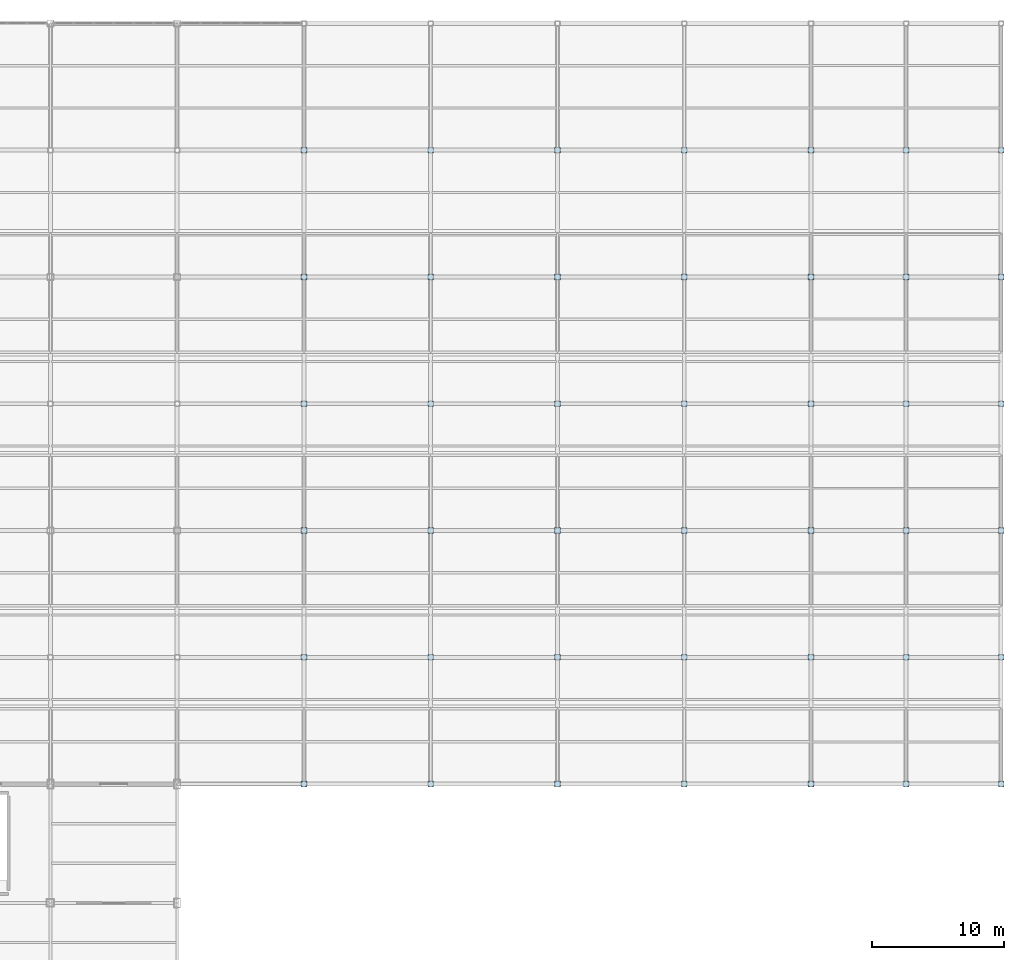
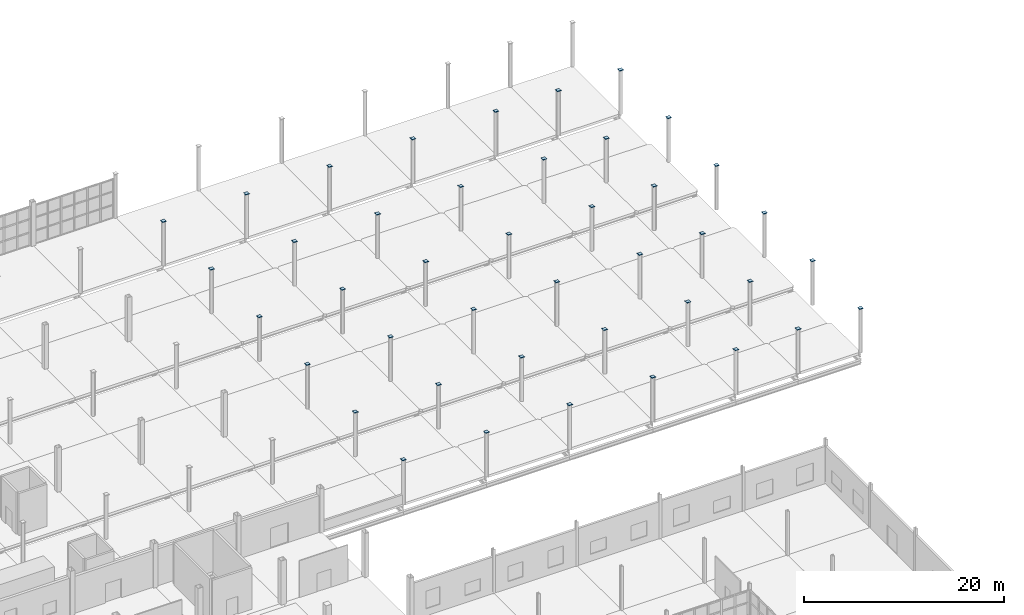
# One storey, part 62 of 85: 42 plates.
"""IFC4 building model written with IfcOpenShell, lengths in metres."""

import ifcopenshell
import ifcopenshell.guid

model = None  # the IFC model being written
_history = None  # IfcOwnerHistory: only IFC2X3 demands one
_inside = {}  # id of a spatial element -> (the spatial element, [elements in it])
_under = {}  # id of a project, library or spatial element -> (it, [spatial elements below it])
_declared = {}  # id of a project -> (the project, [libraries it declares])
_typed = {}  # id of a type object -> (the type object, [elements of that type])
_made_of = {}  # id of a material, layer set ... -> (it, [elements and type objects made of it])


def new_model(schema):
    """Start an empty IFC model of exactly this schema.

    Asked for "IFC4X3", IfcOpenShell would pick the latest addendum, in which some entities
    have other attributes; the version numbers below select the first issue.
    IFC2X3 requires an IfcOwnerHistory on every rooted entity: one is made here for all.
    """
    global model, _history
    if schema == "IFC4X3":
        model = ifcopenshell.file(schema_version=(4, 3, 0, 0))
    else:
        model = ifcopenshell.file(schema=schema)
    _inside.clear()
    _under.clear()
    _declared.clear()
    _typed.clear()
    _made_of.clear()
    _history = None
    if model.schema == "IFC2X3":
        org = make("IfcOrganization", Name="unknown")
        user = make(
            "IfcPersonAndOrganization",
            ThePerson=make("IfcPerson", FamilyName="unknown"),
            TheOrganization=org,
        )
        app = make(
            "IfcApplication",
            ApplicationDeveloper=org,
            Version="unknown",
            ApplicationFullName="unknown",
            ApplicationIdentifier="unknown",
        )
        _history = make(
            "IfcOwnerHistory",
            OwningUser=user,
            OwningApplication=app,
            ChangeAction="ADDED",
            CreationDate=0,
        )
    return model


def make(cls, **values):
    """One entity of the class cls with the attributes given. An attribute that is None is left unset."""
    return model.create_entity(
        cls, **{name: value for name, value in values.items() if value is not None}
    )


def rooted(cls, **values):
    """An entity with a GlobalId (a new one), such as an element, a storey or a relation."""
    return make(cls, GlobalId=ifcopenshell.guid.new(), OwnerHistory=_history, **values)


def si_unit(unit_type, name, prefix=None):
    """IfcSIUnit, for example si_unit("LENGTHUNIT", "METRE", prefix="MILLI")."""
    return make("IfcSIUnit", UnitType=unit_type, Prefix=prefix, Name=name)


def assignment(units):
    """IfcUnitAssignment: the units of a project."""
    return None if units is None else make("IfcUnitAssignment", Units=units)


def point(xyz):
    """IfcCartesianPoint."""
    return None if xyz is None else make("IfcCartesianPoint", Coordinates=xyz)


def direction(xyz):
    """IfcDirection."""
    return None if xyz is None else make("IfcDirection", DirectionRatios=xyz)


def frame(location, z_axis=None, x_axis=None):
    """IfcAxis2Placement3D, a coordinate frame: its origin and axes. An axis left out is left unset."""
    return make(
        "IfcAxis2Placement3D",
        Location=point(location),
        Axis=direction(z_axis),
        RefDirection=direction(x_axis),
    )


def frame_2d(location, x_axis=None):
    """IfcAxis2Placement2D, a coordinate frame in the plane: its origin and x axis."""
    return make(
        "IfcAxis2Placement2D", Location=point(location), RefDirection=direction(x_axis)
    )


def origin():
    """The frame at (0, 0, 0) with its axes left unset."""
    return frame((0.0, 0.0, 0.0))


def origin_2d():
    """The frame at (0, 0) in the plane with its x axis left unset."""
    return frame_2d((0.0, 0.0))


def place(relative_to, where):
    """IfcLocalPlacement: puts the frame where relative to a parent placement (None: the world)."""
    return make(
        "IfcLocalPlacement", PlacementRelTo=relative_to, RelativePlacement=where
    )


def context(
    kind, dimensions, precision=None, world=None, true_north=None, identifier=None
):
    """IfcGeometricRepresentationContext, for example the 3D "Model" context."""
    return make(
        "IfcGeometricRepresentationContext",
        ContextIdentifier=identifier,
        ContextType=kind,
        CoordinateSpaceDimension=dimensions,
        Precision=precision,
        WorldCoordinateSystem=world,
        TrueNorth=true_north,
    )


def subcontext(parent, identifier, kind, view, scale=None):
    """IfcGeometricRepresentationSubContext, for example "Body" below "Model"."""
    return make(
        "IfcGeometricRepresentationSubContext",
        ContextIdentifier=identifier,
        ContextType=kind,
        ParentContext=parent,
        TargetScale=scale,
        TargetView=view,
    )


def project(units=None, contexts=None):
    """IfcProject with its units and contexts."""
    return rooted(
        "IfcProject",
        Name="project",
        RepresentationContexts=contexts,
        UnitsInContext=assignment(units),
    )


def spatial(cls, under=None, at=None, **own):
    """A site, building, storey or space (cls), placed at a placement, below another one or the project."""
    s = rooted(cls, ObjectPlacement=at, **own)
    if under is not None:
        _under.setdefault(under.id(), (under, []))[1].append(s)
    return s


def profile(cls, at=None, kind="AREA", **sizes):
    """A parametric profile (cls). Its sizes go by their IFC names, for example OverallWidth=200.0."""
    return make(cls, ProfileType=kind, Position=at, **sizes)


def rectangle(**sizes):
    """IfcRectangleProfileDef."""
    return profile("IfcRectangleProfileDef", **sizes)


def extrude(swept, where, along, depth):
    """IfcExtrudedAreaSolid: the profile swept, set in the frame where, extruded along a direction by depth."""
    return make(
        "IfcExtrudedAreaSolid",
        SweptArea=swept,
        Position=where,
        ExtrudedDirection=direction(along),
        Depth=depth,
    )


def shape(context_of_items, identifier, shape_type, items):
    """IfcShapeRepresentation: the items that make up one representation, for example the "Body"."""
    return make(
        "IfcShapeRepresentation",
        ContextOfItems=context_of_items,
        RepresentationIdentifier=identifier,
        RepresentationType=shape_type,
        Items=items,
    )


def material(Name=None, Category=None):
    """IfcMaterial."""
    return make("IfcMaterial", Name=Name, Category=Category)


def layer(
    of_material, thickness, ventilated=None, Name=None, Category=None, Priority=None
):
    """IfcMaterialLayer: one layer of a wall or slab, of a material (None: an air gap)."""
    return make(
        "IfcMaterialLayer",
        Material=of_material,
        LayerThickness=thickness,
        IsVentilated=ventilated,
        Name=Name,
        Category=Category,
        Priority=Priority,
    )


def layer_set(layers, Name=None):
    """IfcMaterialLayerSet."""
    return make("IfcMaterialLayerSet", MaterialLayers=layers, LayerSetName=Name)


def made_of(thing, what):
    """Note that an element or type object is made of a material, layer set ...; save() writes the relation."""
    if what is not None:
        _made_of.setdefault(what.id(), (what, []))[1].append(thing)
    return thing


def type_object(cls, material=None, **own):
    """A type object (cls), such as IfcWallType, which elements share."""
    return made_of(rooted(cls, **own), material)


def element(
    cls,
    number,
    at=None,
    inside=None,
    cuts=None,
    type_object=None,
    material=None,
    context=None,
    identifier="Body",
    shape_type=None,
    held_by="IfcProductDefinitionShape",
    body=None,
    shapes=None,
    **own,
):
    """One element of the class cls, such as IfcWall. Its Tag is "e" and its number.

    at: its placement. inside: the storey or other place that contains it. cuts: it is an
    opening in that element (IfcRelVoidsElement). A single representation is given by context,
    identifier, shape_type and body (its items); several are given by shapes. held_by: the class
    of the entity that holds the representations. save() writes the other relations.
    """
    e = rooted(cls, Tag="e%d" % number, ObjectPlacement=at, **own)
    if body is not None:
        shapes = [shape(context, identifier, shape_type, body)]
    if shapes is not None:
        e.Representation = make(held_by, Representations=shapes)
    if inside is not None:
        _inside.setdefault(inside.id(), (inside, []))[1].append(e)
    if cuts is not None:
        rooted(
            "IfcRelVoidsElement", RelatingBuildingElement=cuts, RelatedOpeningElement=e
        )
    if type_object is not None:
        _typed.setdefault(type_object.id(), (type_object, []))[1].append(e)
    return made_of(e, material)


def aggregate(whole, parts):
    """IfcRelAggregates: a whole, such as a stair, and the parts it consists of."""
    return rooted("IfcRelAggregates", RelatingObject=whole, RelatedObjects=parts)


def save(model, path):
    """Write the relations noted so far, then the file.

    IfcRelAggregates (storeys below a building ...), IfcRelContainedInSpatialStructure (elements
    in a storey), IfcRelDefinesByType, IfcRelAssociatesMaterial and IfcRelDeclares: one each for
    every whole, place, type object, material and project.
    """
    for whole, parts in _under.values():
        aggregate(whole, parts)
    for where, things in _inside.values():
        rooted(
            "IfcRelContainedInSpatialStructure",
            RelatedElements=things,
            RelatingStructure=where,
        )
    for kind, things in _typed.values():
        rooted("IfcRelDefinesByType", RelatedObjects=things, RelatingType=kind)
    for what, things in _made_of.values():
        rooted("IfcRelAssociatesMaterial", RelatedObjects=things, RelatingMaterial=what)
    for by, libraries in _declared.values():
        rooted("IfcRelDeclares", RelatingContext=by, RelatedDefinitions=libraries)
    model.write(path)


model = new_model("IFC4")

# Units and contexts
model_context = context("Model", 3, precision=1e-05, world=origin(), true_north=direction((0.0, 1.0)))
body_context = subcontext(model_context, "Body", "Model", "MODEL_VIEW")
ifc_project = project(units=[si_unit("LENGTHUNIT", "METRE"), si_unit("AREAUNIT", "SQUARE_METRE"), si_unit("VOLUMEUNIT", "CUBIC_METRE"), si_unit("PLANEANGLEUNIT", "RADIAN"), si_unit("MASSUNIT", "GRAM", prefix="KILO")], contexts=[model_context])

# Site, building, storey
site_placement = place(None, origin())
site = spatial("IfcSite", under=ifc_project, at=site_placement, CompositionType="ELEMENT")
building_placement = place(site_placement, origin())
building = spatial("IfcBuilding", under=site, at=building_placement, Name="Zarnetskaya Central Station", CompositionType="ELEMENT")
storey_placement = place(building_placement, origin())
storey = spatial("IfcBuildingStorey", under=building, at=storey_placement, Name="L00", CompositionType="ELEMENT", Elevation=0.0)

# Plates
ifc_material = material(Name="Steel S355", Category="steel")
ifc_layer = layer(ifc_material, 0.02392578125, Name="Steel S355", Category="steel")
ifc_layer_set = layer_set([ifc_layer], Name="Steel S355")
plate_type = type_object("IfcPlateType", Name="PL-COL-CAP-EXT", PredefinedType="USERDEFINED", material=ifc_layer_set)
for number, where, z_axis, x_axis, name in (
    (1, (134.39990234375, 67.199951171875, 5.3759765625), (0.0, 0.0, 1.0), (1.0, 0.0, 0.0), "Hollow column sealed end-cap plate 118"),
    (2, (134.39990234375, 76.800048828125, 5.3759765625), (0.0, 0.0, 1.0), (1.0, 0.0, 0.0), "Hollow column sealed end-cap plate 119"),
    (3, (134.39990234375, 86.39990234375, 5.3759765625), (0.0, 0.0, 1.0), (1.0, 0.0, 0.0), "Hollow column sealed end-cap plate 120"),
    (4, (134.39990234375, 96.0, 5.3759765625), (0.0, 0.0, 1.0), (1.0, 0.0, 0.0), "Hollow column sealed end-cap plate 121"),
    (5, (134.39990234375, 105.60009765625, 5.3759765625), (0.0, 0.0, 1.0), (1.0, 0.0, 0.0), "Hollow column sealed end-cap plate 122"),
    (6, (134.39990234375, 115.199951171875, 5.3759765625), (0.0, 0.0, 1.0), (1.0, 0.0, 0.0), "Hollow column sealed end-cap plate 123"),
    (7, (144.0, 67.199951171875, 5.3759765625), (0.0, 0.0, 1.0), (1.0, 0.0, 0.0), "Hollow column sealed end-cap plate 125"),
    (8, (144.0, 76.800048828125, 5.3759765625), (0.0, 0.0, 1.0), (1.0, 0.0, 0.0), "Hollow column sealed end-cap plate 126"),
    (9, (144.0, 86.39990234375, 5.3759765625), (0.0, 0.0, 1.0), (1.0, 0.0, 0.0), "Hollow column sealed end-cap plate 127"),
    (10, (144.0, 96.0, 5.3759765625), (0.0, 0.0, 1.0), (1.0, 0.0, 0.0), "Hollow column sealed end-cap plate 128"),
    (11, (144.0, 105.60009765625, 5.3759765625), (0.0, 0.0, 1.0), (1.0, 0.0, 0.0), "Hollow column sealed end-cap plate 129"),
    (12, (144.0, 115.199951171875, 5.3759765625), (0.0, 0.0, 1.0), (1.0, 0.0, 0.0), "Hollow column sealed end-cap plate 130"),
    (13, (153.60009765625, 67.199951171875, 5.3759765625), (0.0, 0.0, 1.0), (1.0, 0.0, 0.0), "Hollow column sealed end-cap plate 132"),
    (14, (153.60009765625, 76.800048828125, 5.3759765625), (0.0, 0.0, 1.0), (1.0, 0.0, 0.0), "Hollow column sealed end-cap plate 133"),
    (15, (153.60009765625, 86.39990234375, 5.3759765625), (0.0, 0.0, 1.0), (1.0, 0.0, 0.0), "Hollow column sealed end-cap plate 134"),
    (16, (153.60009765625, 96.0, 5.3759765625), (0.0, 0.0, 1.0), (1.0, 0.0, 0.0), "Hollow column sealed end-cap plate 135"),
    (17, (153.60009765625, 105.60009765625, 5.3759765625), (0.0, 0.0, 1.0), (1.0, 0.0, 0.0), "Hollow column sealed end-cap plate 136"),
    (18, (153.60009765625, 115.199951171875, 5.3759765625), (0.0, 0.0, 1.0), (1.0, 0.0, 0.0), "Hollow column sealed end-cap plate 137"),
    (19, (163.199951171875, 67.199951171875, 5.3759765625), (0.0, 0.0, 1.0), (1.0, 0.0, 0.0), "Hollow column sealed end-cap plate 139"),
    (20, (163.199951171875, 76.800048828125, 5.3759765625), (0.0, 0.0, 1.0), (1.0, 0.0, 0.0), "Hollow column sealed end-cap plate 140"),
    (21, (163.199951171875, 86.39990234375, 5.3759765625), (0.0, 0.0, 1.0), (1.0, 0.0, 0.0), "Hollow column sealed end-cap plate 141"),
    (22, (163.199951171875, 96.0, 5.3759765625), (0.0, 0.0, 1.0), (1.0, 0.0, 0.0), "Hollow column sealed end-cap plate 142"),
    (23, (163.199951171875, 105.60009765625, 5.3759765625), (0.0, 0.0, 1.0), (1.0, 0.0, 0.0), "Hollow column sealed end-cap plate 143"),
    (24, (163.199951171875, 115.199951171875, 5.3759765625), (0.0, 0.0, 1.0), (1.0, 0.0, 0.0), "Hollow column sealed end-cap plate 144"),
    (25, (172.800048828125, 67.199951171875, 5.3759765625), (0.0, 0.0, 1.0), (1.0, 0.0, 0.0), "Hollow column sealed end-cap plate 146"),
    (26, (172.800048828125, 76.800048828125, 5.3759765625), (0.0, 0.0, 1.0), (1.0, 0.0, 0.0), "Hollow column sealed end-cap plate 147"),
    (27, (172.800048828125, 86.39990234375, 5.3759765625), (0.0, 0.0, 1.0), (1.0, 0.0, 0.0), "Hollow column sealed end-cap plate 148"),
    (28, (172.800048828125, 96.0, 5.3759765625), (0.0, 0.0, 1.0), (1.0, 0.0, 0.0), "Hollow column sealed end-cap plate 149"),
    (29, (172.800048828125, 105.60009765625, 5.3759765625), (0.0, 0.0, 1.0), (1.0, 0.0, 0.0), "Hollow column sealed end-cap plate 150"),
    (30, (172.800048828125, 115.199951171875, 5.3759765625), (0.0, 0.0, 1.0), (1.0, 0.0, 0.0), "Hollow column sealed end-cap plate 151"),
    (31, (180.0, 67.199951171875, 5.3759765625), (0.0, 0.0, 1.0), (1.0, 0.0, 0.0), "Hollow column sealed end-cap plate 153"),
    (32, (180.0, 76.800048828125, 5.3759765625), (0.0, 0.0, 1.0), (1.0, 0.0, 0.0), "Hollow column sealed end-cap plate 154"),
    (33, (180.0, 86.39990234375, 5.3759765625), (0.0, 0.0, 1.0), (1.0, 0.0, 0.0), "Hollow column sealed end-cap plate 155"),
    (34, (180.0, 96.0, 5.3759765625), (0.0, 0.0, 1.0), (1.0, 0.0, 0.0), "Hollow column sealed end-cap plate 156"),
    (35, (180.0, 105.60009765625, 5.3759765625), (0.0, 0.0, 1.0), (1.0, 0.0, 0.0), "Hollow column sealed end-cap plate 157"),
    (36, (180.0, 115.199951171875, 5.3759765625), (0.0, 0.0, 1.0), (1.0, 0.0, 0.0), "Hollow column sealed end-cap plate 158"),
    (37, (187.199951171875, 67.199951171875, 5.3759765625), (0.0, 0.0, 1.0), (1.0, 0.0, 0.0), "Hollow column sealed end-cap plate 160"),
    (38, (187.199951171875, 76.800048828125, 5.3759765625), (0.0, 0.0, 1.0), (1.0, 0.0, 0.0), "Hollow column sealed end-cap plate 161"),
    (39, (187.199951171875, 86.39990234375, 5.3759765625), (0.0, 0.0, 1.0), (1.0, 0.0, 0.0), "Hollow column sealed end-cap plate 162"),
    (40, (187.199951171875, 96.0, 5.3759765625), (0.0, 0.0, 1.0), (1.0, 0.0, 0.0), "Hollow column sealed end-cap plate 163"),
    (41, (187.199951171875, 105.60009765625, 5.3759765625), (0.0, 0.0, 1.0), (1.0, 0.0, 0.0), "Hollow column sealed end-cap plate 164"),
    (42, (187.199951171875, 115.199951171875, 5.3759765625), (0.0, 0.0, 1.0), (1.0, 0.0, 0.0), "Hollow column sealed end-cap plate 165"),
):
    element("IfcPlate", number, at=place(storey_placement, frame(where, z_axis=z_axis, x_axis=x_axis)), inside=storey, type_object=plate_type, Name=name, ObjectType="END CAP PLATE", PredefinedType="USERDEFINED", context=body_context, shape_type="SweptSolid", body=[
        extrude(rectangle(XDim=0.426513671875, YDim=0.426513671875, at=origin_2d()), origin(), (0.0, 0.0, 1.0), 0.02392578125),
    ])

save(model, "model.ifc")
